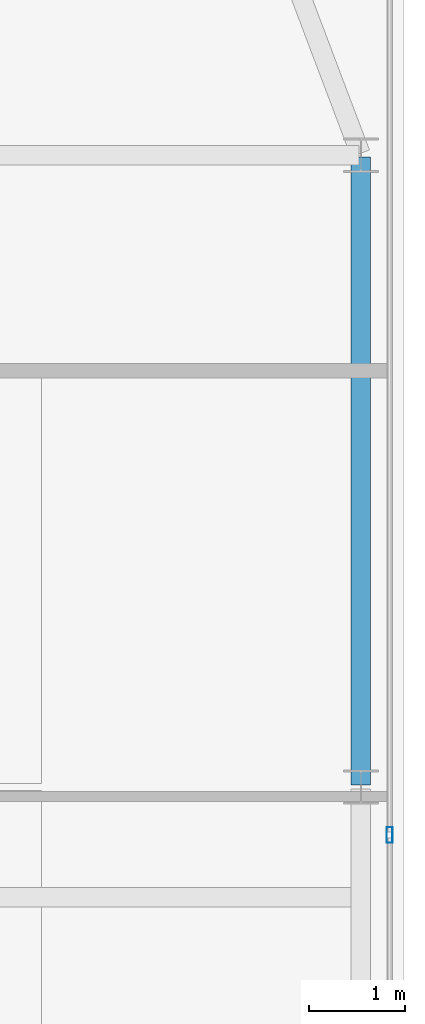
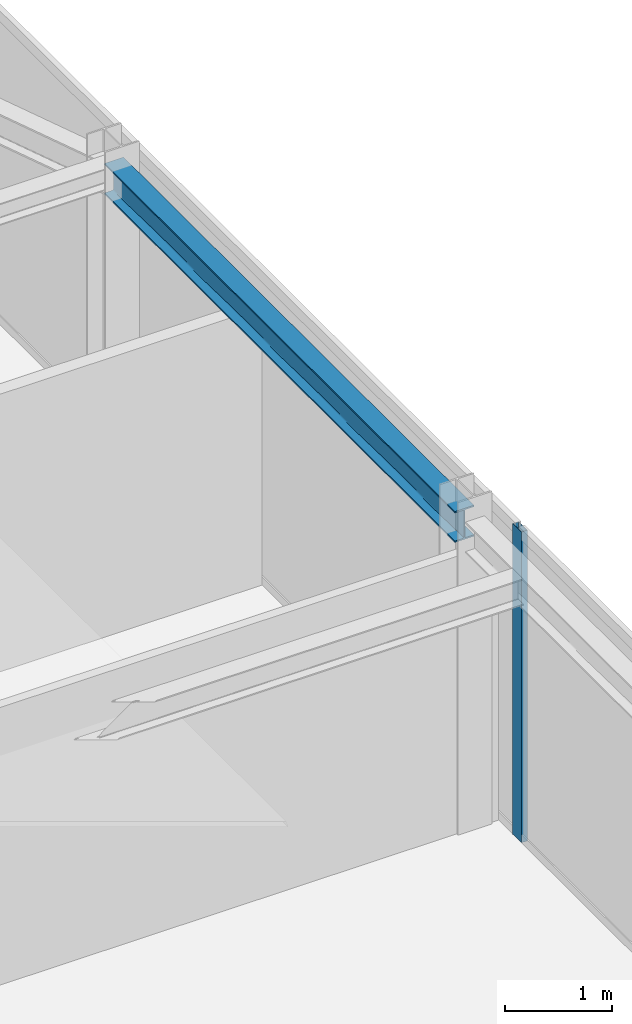
# One storey, part 19 of 30: 1 beam, 1 member, 1 element without a shape of its own.
"""IFC4 building model written with IfcOpenShell, lengths in metres."""

from ifc_helpers import new_model, si_unit, direction, frame, origin, origin_2d, place, context, subcontext, project, spatial, hollow_rectangle, i_section, extrude, source, transform, mapped, material, layer, layer_set, material_profile, profile_set, type_object, type_shapes, element, aggregate, save


model = new_model("IFC4")

# Units and contexts
model_context = context("Model", 3, precision=1e-05, world=origin(), true_north=direction((0.0, 1.0)))
body_context = subcontext(model_context, "Body", "Model", "MODEL_VIEW")
ifc_project = project(units=[si_unit("LENGTHUNIT", "METRE"), si_unit("AREAUNIT", "SQUARE_METRE"), si_unit("VOLUMEUNIT", "CUBIC_METRE"), si_unit("PLANEANGLEUNIT", "RADIAN"), si_unit("MASSUNIT", "GRAM", prefix="KILO")], contexts=[model_context])

# Site, building, storey
site_placement = place(None, origin())
site = spatial("IfcSite", under=ifc_project, at=site_placement, CompositionType="ELEMENT")
building_placement = place(site_placement, origin())
building = spatial("IfcBuilding", under=site, at=building_placement, Name="Varnel Quay Broadcast Tower", CompositionType="ELEMENT")
storey_placement = place(building_placement, frame((0.0, 0.0, 207.39990234375)))
storey = spatial("IfcBuildingStorey", under=building, at=storey_placement, Name="L51", CompositionType="ELEMENT", Elevation=207.39990234375)

# Beam
ifc_material_1 = material(Name="Structural Steel CSA G40.21 350W", Category="steel")
ifc_material_profile_1 = material_profile(ifc_material_1, i_section(OverallWidth=0.205078125, OverallDepth=0.35400390625, WebThickness=0.009521484375, FlangeThickness=0.016845703125, FilletRadius=0.012939453125, at=origin_2d()), Name="W360X79")
ifc_profile_set_1 = profile_set([ifc_material_profile_1], Name="Structural Steel CSA G40.21 350W")
beam_type = type_object("IfcBeamType", Name="Beam_W360X79", PredefinedType="SPANDREL", material=ifc_profile_set_1)
shared_shape_1 = source(origin(), body_context, "Body", "SweptSolid", [
    extrude(i_section(OverallWidth=0.205078125, OverallDepth=0.35400390625, WebThickness=0.009521484375, FlangeThickness=0.016845703125, FilletRadius=0.012939453125, at=origin_2d()), origin(), (0.0, 0.0, 1.0), 6.56005859375),
])
type_shapes(beam_type, [shared_shape_1])
beam_placement = place(storey_placement, frame((58.050048828125, 29.02001953125, 3.373046875), z_axis=(0.0, 1.0, 0.0), x_axis=(-1.0, 0.0, 0.0)))
element("IfcBeam", 1, at=beam_placement, inside=storey, type_object=beam_type, Name="L51 East Spandrel TC-E2-TC-E3", PredefinedType="SPANDREL", context=body_context, shape_type="MappedRepresentation", body=[
    mapped(shared_shape_1, transform((0.0, 0.0, 0.0), x_axis=(1.0, 0.0, 0.0), y_axis=(0.0, 1.0, 0.0), z_axis=(0.0, 0.0, 1.0), scale=1.0)),
])

# Curtain wall, member
ifc_material_2 = material(Name="Anodised Bronze Aluminium 6063-T6", Category="aluminium")
ifc_layer = layer(ifc_material_2, 0.18994140625, Name="Anodised Bronze Aluminium 6063-T6")
ifc_layer_set = layer_set([ifc_layer], Name="Anodised Bronze Aluminium 6063-T6")
curtain_wall_type = type_object("IfcCurtainWallType", Name="CW_UpperTower", PredefinedType="NOTDEFINED", material=ifc_layer_set)
curtain_wall_placement = place(storey_placement, origin())
curtain_wall = element("IfcCurtainWall", 2, at=curtain_wall_placement, inside=storey, type_object=curtain_wall_type, Name="L51 East Unitised Curtain Wall", PredefinedType="NOTDEFINED")
ifc_material_profile_2 = material_profile(ifc_material_2, hollow_rectangle(XDim=0.06494140625, YDim=0.1650390625, WallThickness=0.00341796875, at=origin_2d()), Name="ALU65X165X3.5")
ifc_profile_set_2 = profile_set([ifc_material_profile_2], Name="Anodised Bronze Aluminium 6063-T6")
member_type = type_object("IfcMemberType", Name="Mull_CWS-03", PredefinedType="MULLION", material=ifc_profile_set_2)
shared_shape_2 = source(origin(), body_context, "Body", "SweptSolid", [
    extrude(hollow_rectangle(XDim=0.06494140625, YDim=0.1650390625, WallThickness=0.00341796875, at=origin_2d()), origin(), (0.0, 0.0, 1.0), 3.550048828125),
])
type_shapes(member_type, [shared_shape_2])
member_placement = place(storey_placement, frame((58.35009765625, 28.5, 0.0), z_axis=(0.0, 0.0, 1.0), x_axis=(-1.0, 0.0, 0.0)))
member = element("IfcMember", 3, at=member_placement, type_object=member_type, Name="CWS-03 mullion 2", PredefinedType="MULLION", context=body_context, shape_type="MappedRepresentation", body=[
    mapped(shared_shape_2, transform((0.0, 0.0, 0.0), x_axis=(1.0, 0.0, 0.0), y_axis=(0.0, 1.0, 0.0), z_axis=(0.0, 0.0, 1.0), scale=1.0)),
])
aggregate(curtain_wall, [member])

save(model, "model.ifc")
